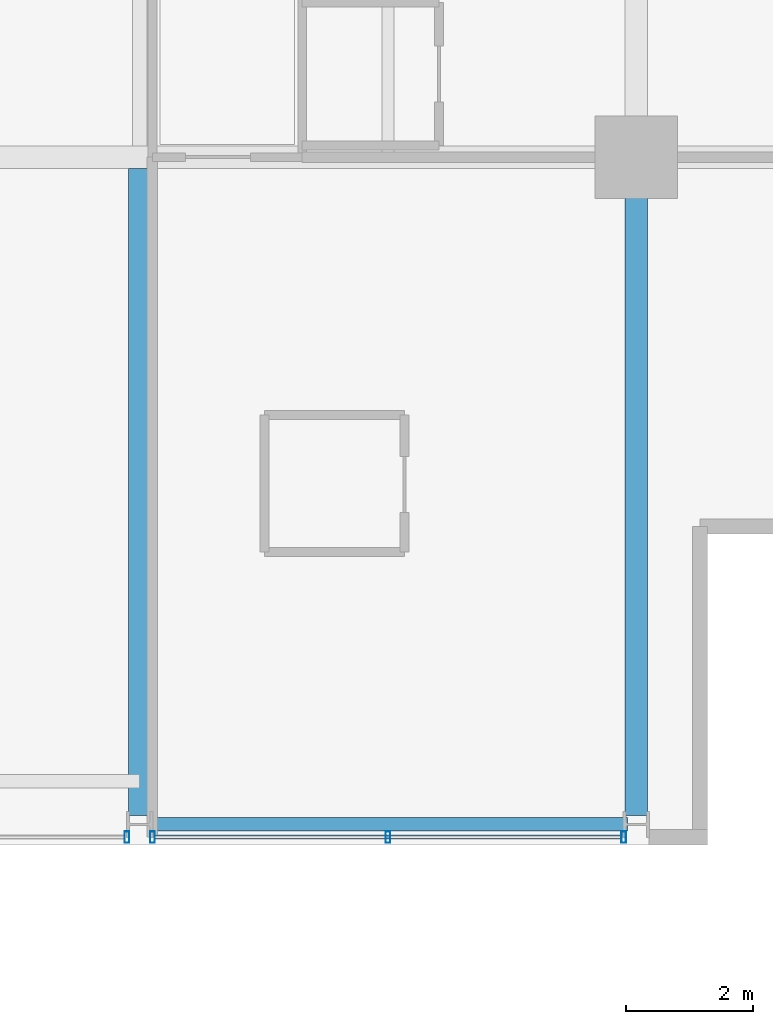
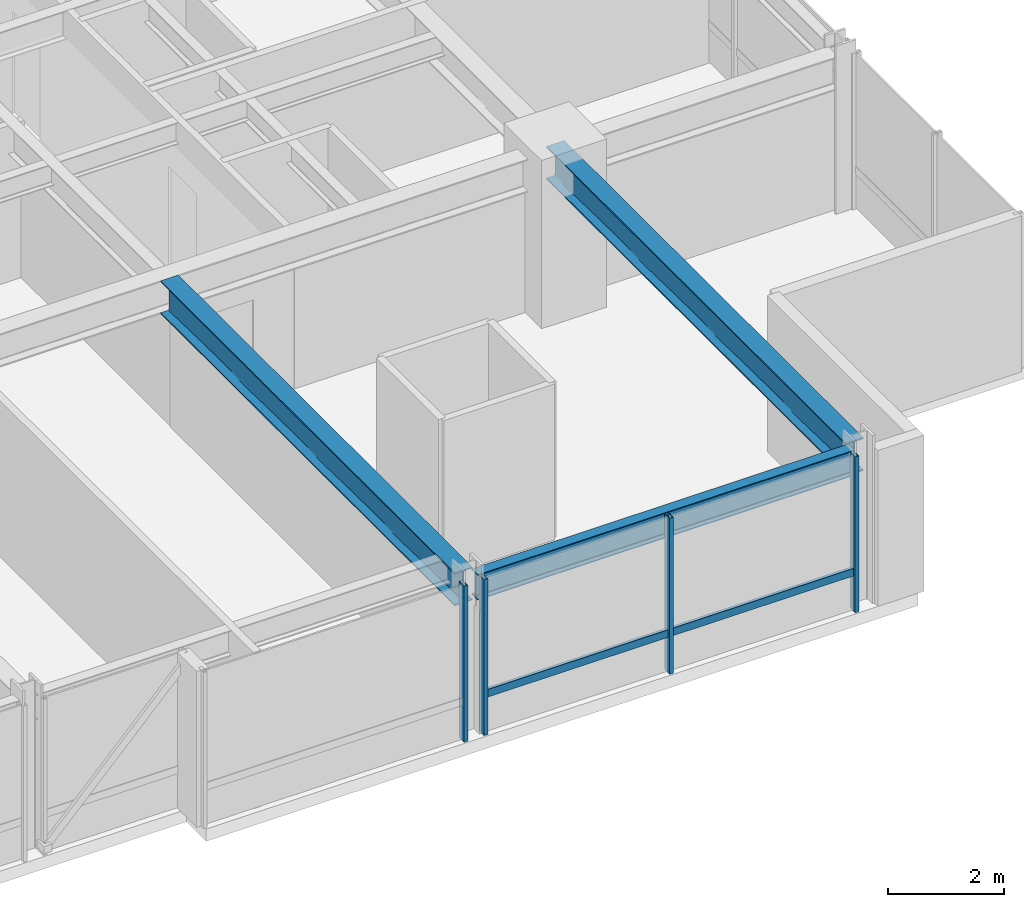
# One storey, part 11 of 33: 5 members, 3 beams, 2 elements without a shape of their own.
"""IFC4 building model written with IfcOpenShell, lengths in metres."""

from ifc_helpers import new_model, si_unit, direction, frame, origin, origin_2d, place, context, subcontext, project, spatial, hollow_rectangle, i_section, extrude, material, layer, layer_set, material_profile, profile_set, type_object, element, aggregate, save


model = new_model("IFC4")

# Units and contexts
model_context = context("Model", 3, precision=1e-05, world=origin(), true_north=direction((0.0, 1.0)))
body_context = subcontext(model_context, "Body", "Model", "MODEL_VIEW")
ifc_project = project(units=[si_unit("LENGTHUNIT", "METRE"), si_unit("AREAUNIT", "SQUARE_METRE"), si_unit("VOLUMEUNIT", "CUBIC_METRE"), si_unit("PLANEANGLEUNIT", "RADIAN"), si_unit("MASSUNIT", "GRAM", prefix="KILO")], contexts=[model_context])

# Site, building, storey
site_placement = place(None, origin())
site = spatial("IfcSite", under=ifc_project, at=site_placement, CompositionType="ELEMENT")
building_placement = place(site_placement, origin())
building = spatial("IfcBuilding", under=site, at=building_placement, Name="Drelvath Grand Hotel", CompositionType="ELEMENT")
storey_placement = place(building_placement, frame((0.0, 0.0, 153.949951171875)))
storey = spatial("IfcBuildingStorey", under=building, at=storey_placement, Name="L39", CompositionType="ELEMENT", Elevation=153.949951171875)

# Curtain wall, member
ifc_material_1 = material(Name="Brushed Pale-Silver Anodised Aluminium Frame", Category="aluminium")
ifc_layer = layer(ifc_material_1, 0.199951171875)
ifc_layer_set = layer_set([ifc_layer], Name="Brushed Pale-Silver Anodised Aluminium Frame")
curtain_wall_type = type_object("IfcCurtainWallType", Name="Stick Curtain Wall CW-04 Brushed Silver Upper-Mid", PredefinedType="NOTDEFINED", material=ifc_layer_set)
curtain_wall_1_placement = place(storey_placement, origin())
curtain_wall_1 = element("IfcCurtainWall", 1, at=curtain_wall_1_placement, inside=storey, type_object=curtain_wall_type, Name="L39 CW-04 Curtain Wall CW04-L39-SE2", PredefinedType="NOTDEFINED")
ifc_material_profile_1 = material_profile(ifc_material_1, hollow_rectangle(XDim=0.06494140625, YDim=0.159912109375, WallThickness=0.00390625, at=origin_2d()), Name="HSS160X65X4")
ifc_profile_set_1 = profile_set([ifc_material_profile_1], Name="Brushed Pale-Silver Anodised Aluminium Frame")
member_type_1 = type_object("IfcMemberType", Name="Curtain Wall Horizontal Transom CW-04 HSS160X65X4", PredefinedType="USERDEFINED", material=ifc_profile_set_1)
member_1_placement = place(storey_placement, frame((15.9599609375, 0.1201171875, 0.822509765625), z_axis=(-1.0, 0.0, 0.0), x_axis=(0.0, -1.0, 0.0)))
member_1 = element("IfcMember", 2, at=member_1_placement, type_object=member_type_1, Name="CW04-L39-SE2 Sill Transom", ObjectType="TRANSOM", PredefinedType="USERDEFINED", context=body_context, shape_type="SweptSolid", body=[
    extrude(hollow_rectangle(XDim=0.06494140625, YDim=0.159912109375, WallThickness=0.00390625, at=origin_2d()), origin(), (0.0, 0.0, 1.0), 7.31982421875),
])

curtain_wall_2_placement = place(storey_placement, origin())
curtain_wall_2 = element("IfcCurtainWall", 3, at=curtain_wall_2_placement, inside=storey, type_object=curtain_wall_type, Name="L39 CW-04 Curtain Wall CW04-L39-SE1", PredefinedType="NOTDEFINED")
ifc_material_profile_2 = material_profile(ifc_material_1, hollow_rectangle(XDim=0.074951171875, YDim=0.179931640625, WallThickness=0.0048828125, at=origin_2d()), Name="HSS180X75X5")
ifc_profile_set_2 = profile_set([ifc_material_profile_2], Name="Brushed Pale-Silver Anodised Aluminium Frame")
member_type_2 = type_object("IfcMemberType", Name="Curtain Wall Vertical Mullion CW-04 HSS180X75X5", PredefinedType="MULLION", material=ifc_profile_set_2)
member_2_placement = place(storey_placement, frame((8.199951171875, 0.1201171875, 0.0), z_axis=(0.0, 0.0, 1.0), x_axis=(1.0, 0.0, 0.0)))
member_2 = element("IfcMember", 4, at=member_2_placement, type_object=member_type_2, Name="CW04-L39-SE1 Mullion 1", PredefinedType="MULLION", context=body_context, shape_type="SweptSolid", body=[
    extrude(hollow_rectangle(XDim=0.074951171875, YDim=0.179931640625, WallThickness=0.0048828125, at=origin_2d()), origin(), (0.0, 0.0, 1.0), 3.2900390625),
])
aggregate(curtain_wall_2, [member_2])

# Member
member_3_placement = place(storey_placement, frame((16.0, 0.1201171875, 0.0), z_axis=(0.0, 0.0, 1.0), x_axis=(1.0, 0.0, 0.0)))
member_3 = element("IfcMember", 5, at=member_3_placement, type_object=member_type_2, Name="CW04-L39-SE2 Mullion 1", PredefinedType="MULLION", context=body_context, shape_type="SweptSolid", body=[
    extrude(hollow_rectangle(XDim=0.074951171875, YDim=0.179931640625, WallThickness=0.0048828125, at=origin_2d()), origin(), (0.0, 0.0, 1.0), 3.2900390625),
])

member_4_placement = place(storey_placement, frame((12.300048828125, 0.1201171875, 0.0), z_axis=(0.0, 0.0, 1.0), x_axis=(1.0, 0.0, 0.0)))
member_4 = element("IfcMember", 6, at=member_4_placement, type_object=member_type_2, Name="CW04-L39-SE2 Mullion 2", PredefinedType="MULLION", context=body_context, shape_type="SweptSolid", body=[
    extrude(hollow_rectangle(XDim=0.074951171875, YDim=0.179931640625, WallThickness=0.0048828125, at=origin_2d()), origin(), (0.0, 0.0, 1.0), 3.2900390625),
])

member_5_placement = place(storey_placement, frame((8.60009765625, 0.1201171875, 0.0), z_axis=(0.0, 0.0, 1.0), x_axis=(1.0, 0.0, 0.0)))
member_5 = element("IfcMember", 7, at=member_5_placement, type_object=member_type_2, Name="CW04-L39-SE2 Mullion 3", PredefinedType="MULLION", context=body_context, shape_type="SweptSolid", body=[
    extrude(hollow_rectangle(XDim=0.074951171875, YDim=0.179931640625, WallThickness=0.0048828125, at=origin_2d()), origin(), (0.0, 0.0, 1.0), 3.2900390625),
])

aggregate(curtain_wall_1, [member_3, member_4, member_5, member_1])

# Beams
ifc_material_2 = material(Name="Steel ASTM A992 Gr 50", Category="steel")
ifc_material_profile_3 = material_profile(ifc_material_2, i_section(OverallWidth=0.210205078125, OverallDepth=0.53662109375, WebThickness=0.010986328125, FlangeThickness=0.017333984375, FilletRadius=0.01806640625, at=origin_2d()), Name="W21X68")
ifc_profile_set_3 = profile_set([ifc_material_profile_3], Name="Steel ASTM A992 Gr 50")
beam_type_1 = type_object("IfcBeamType", Name="Perimeter Spandrel Beam W21X68", PredefinedType="SPANDREL", material=ifc_profile_set_3)
beam_1_placement = place(storey_placement, frame((8.5400390625, 0.320068359375, 3.021728515625), z_axis=(1.0, 0.0, 0.0), x_axis=(0.0, 1.0, 0.0)))
element("IfcBeam", 8, at=beam_1_placement, inside=storey, type_object=beam_type_1, Name="L39 Spandrel South E", PredefinedType="SPANDREL", context=body_context, shape_type="SweptSolid", body=[
    extrude(i_section(OverallWidth=0.210205078125, OverallDepth=0.53662109375, WebThickness=0.010986328125, FlangeThickness=0.017333984375, FilletRadius=0.01806640625, at=origin_2d()), origin(), (0.0, 0.0, 1.0), 7.52001953125),
])
ifc_material_profile_4 = material_profile(ifc_material_2, i_section(OverallWidth=0.354736328125, OverallDepth=0.695556640625, WebThickness=0.015380859375, FlangeThickness=0.025146484375, FilletRadius=0.02392578125, at=origin_2d()), Name="W27X146")
ifc_profile_set_4 = profile_set([ifc_material_profile_4], Name="Steel ASTM A992 Gr 50")
beam_type_2 = type_object("IfcBeamType", Name="Primary Floor Girder W27X146", PredefinedType="BEAM", material=ifc_profile_set_4)
beam_2_placement = place(storey_placement, frame((16.199951171875, 0.4599609375, 2.9423828125), z_axis=(0.0, 1.0, 0.0), x_axis=(-1.0, 0.0, 0.0)))
element("IfcBeam", 9, at=beam_2_placement, inside=storey, type_object=beam_type_2, Name="L39 South Grid Girder 7", PredefinedType="BEAM", context=body_context, shape_type="SweptSolid", body=[
    extrude(i_section(OverallWidth=0.354736328125, OverallDepth=0.695556640625, WebThickness=0.015380859375, FlangeThickness=0.025146484375, FilletRadius=0.02392578125, at=origin_2d()), origin(), (0.0, 0.0, 1.0), 10.340087890625),
])
beam_3_placement = place(storey_placement, frame((8.39990234375, 0.4599609375, 2.9423828125), z_axis=(0.0, 1.0, 0.0), x_axis=(-1.0, 0.0, 0.0)))
element("IfcBeam", 10, at=beam_3_placement, inside=storey, type_object=beam_type_2, Name="L39 South Wing Girder 6", PredefinedType="BEAM", context=body_context, shape_type="SweptSolid", body=[
    extrude(i_section(OverallWidth=0.354736328125, OverallDepth=0.695556640625, WebThickness=0.015380859375, FlangeThickness=0.025146484375, FilletRadius=0.02392578125, at=origin_2d()), origin(), (0.0, 0.0, 1.0), 10.16259765625),
])

save(model, "model.ifc")
